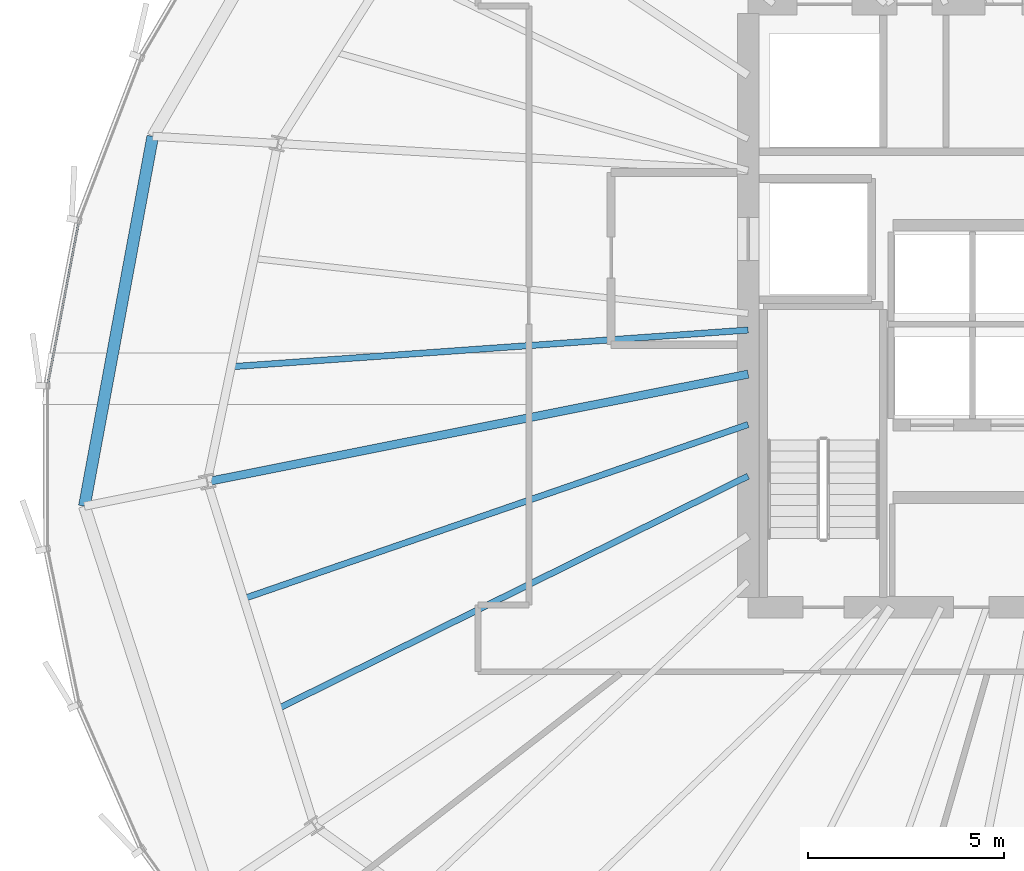
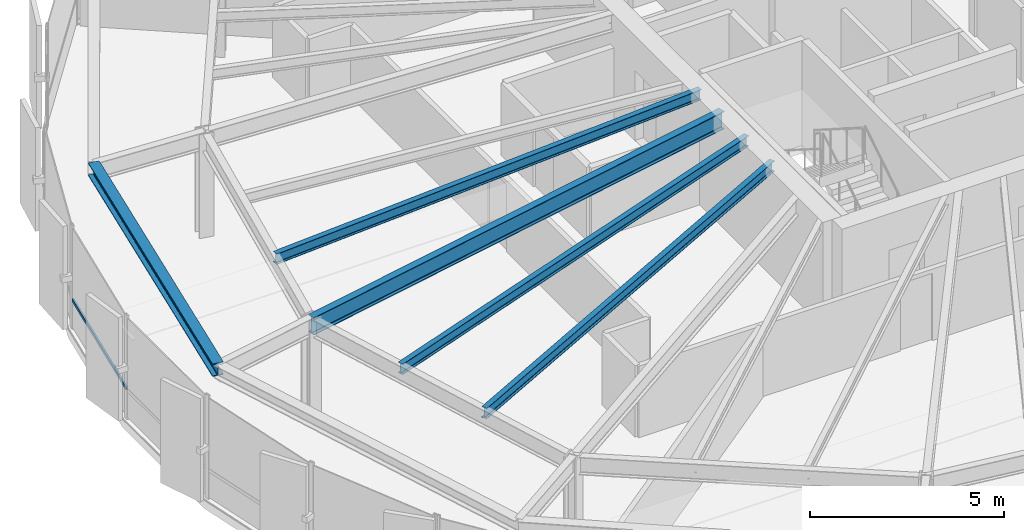
# One storey, part 9 of 34: 5 beams, 1 member, 1 element without a shape of its own.
"""IFC4 building model written with IfcOpenShell, lengths in metres."""

from ifc_helpers import new_model, si_unit, direction, frame, origin, origin_2d, place, context, subcontext, project, spatial, hollow_rectangle, i_section, extrude, source, transform, mapped, material, layer, layer_set, material_profile, profile_set, type_object, element, aggregate, save


model = new_model("IFC4")

# Units and contexts
model_context = context("Model", 3, precision=1e-05, world=origin(), true_north=direction((0.0, 1.0)))
body_context = subcontext(model_context, "Body", "Model", "MODEL_VIEW")
ifc_project = project(units=[si_unit("LENGTHUNIT", "METRE"), si_unit("AREAUNIT", "SQUARE_METRE"), si_unit("VOLUMEUNIT", "CUBIC_METRE"), si_unit("PLANEANGLEUNIT", "RADIAN"), si_unit("MASSUNIT", "GRAM", prefix="KILO"), si_unit("THERMODYNAMICTEMPERATUREUNIT", "KELVIN")], contexts=[model_context])

# Site, building, storey
site_placement = place(None, origin())
site = spatial("IfcSite", under=ifc_project, at=site_placement, CompositionType="ELEMENT")
building_placement = place(site_placement, origin())
building = spatial("IfcBuilding", under=site, at=building_placement, Name="Kethvar Cultural Tower", CompositionType="ELEMENT")
storey_placement = place(building_placement, frame((0.0, 0.0, 153.64990234375)))
storey = spatial("IfcBuildingStorey", under=building, at=storey_placement, Name="L39", CompositionType="ELEMENT", Elevation=153.64990234375)

# Beams
ifc_material_1 = material(Name="Steel S355J2", Category="steel")
ifc_material_profile_1 = material_profile(ifc_material_1, i_section(OverallWidth=0.2099609375, OverallDepth=0.550048828125, WebThickness=0.010986328125, FlangeThickness=0.01708984375, FilletRadius=0.02392578125, at=origin_2d()), Name="Steel S355J2 — IPE550")
ifc_profile_set_1 = profile_set([ifc_material_profile_1], Name="Steel S355J2 — IPE550")
beam_type_1 = type_object("IfcBeamType", Name="BM-IPE550", PredefinedType="BEAM", material=ifc_profile_set_1)
shared_shape_1 = source(origin(), body_context, "Body", "SweptSolid", [
    extrude(i_section(OverallWidth=0.2099609375, OverallDepth=0.550048828125, WebThickness=0.010986328125, FlangeThickness=0.01708984375, FilletRadius=0.02392578125, at=origin_2d()), origin(), (0.0, 0.0, 1.0), 14.085205078125),
])
beam_1_placement = place(storey_placement, frame((38.0, 26.049560546875, 3.023193359375), z_axis=(-0.98078679373, -0.195082713854, 0.0), x_axis=(0.195082713854, -0.98078679373, 0.0)))
element("IfcBeam", 1, at=beam_1_placement, inside=storey, type_object=beam_type_1, Name="L39 Primary Radial Beam RB-09", PredefinedType="BEAM", context=body_context, shape_type="MappedRepresentation", body=[
    mapped(shared_shape_1, transform((0.0, 0.0, 0.0), scale=1.0)),
])
ifc_material_profile_2 = material_profile(ifc_material_1, i_section(OverallWidth=0.300048828125, OverallDepth=0.39990234375, WebThickness=0.013427734375, FlangeThickness=0.02392578125, FilletRadius=0.027099609375, at=origin_2d()), Name="Steel S355J2 — HEB400")
ifc_profile_set_2 = profile_set([ifc_material_profile_2], Name="Steel S355J2 — HEB400")
beam_type_2 = type_object("IfcBeamType", Name="BM-SP400", PredefinedType="SPANDREL", material=ifc_profile_set_2)
shared_shape_2 = source(origin(), body_context, "Body", "SweptSolid", [
    extrude(i_section(OverallWidth=0.300048828125, OverallDepth=0.39990234375, WebThickness=0.013427734375, FlangeThickness=0.02392578125, FilletRadius=0.027099609375, at=origin_2d()), origin(), (0.0, 0.0, 1.0), 9.605712890625),
])
beam_2_placement = place(storey_placement, frame((22.793701171875, 32.123046875, 3.09814453125), z_axis=(-0.1818526217, -0.983325797476, 0.0), x_axis=(0.983325797476, -0.1818526217, 0.0)))
element("IfcBeam", 2, at=beam_2_placement, inside=storey, type_object=beam_type_2, Name="L39 Perimeter Spandrel Beam SP-08", PredefinedType="SPANDREL", context=body_context, shape_type="MappedRepresentation", body=[
    mapped(shared_shape_2, transform((0.0, 0.0, 0.0), scale=1.0)),
])
ifc_material_profile_3 = material_profile(ifc_material_1, i_section(OverallWidth=0.159912109375, OverallDepth=0.330078125, WebThickness=0.007568359375, FlangeThickness=0.011474609375, FilletRadius=0.01806640625, at=origin_2d()), Name="Steel S355J2 — IPE330")
ifc_profile_set_3 = profile_set([ifc_material_profile_3], Name="Steel S355J2 — IPE330")
beam_type_3 = type_object("IfcBeamType", Name="BM-J330", PredefinedType="JOIST", material=ifc_profile_set_3)
shared_shape_3 = source(origin(), body_context, "Body", "SweptSolid", [
    extrude(i_section(OverallWidth=0.159912109375, OverallDepth=0.330078125, WebThickness=0.007568359375, FlangeThickness=0.011474609375, FilletRadius=0.01806640625, at=origin_2d()), origin(), (0.0, 0.0, 1.0), 13.234619140625),
])
beam_3_placement = place(storey_placement, frame((38.0, 27.175537109375, 3.133056640625), z_axis=(-0.997490530945, -0.070800004767, 0.0), x_axis=(0.070800004767, -0.997490530945, 0.0)))
element("IfcBeam", 3, at=beam_3_placement, inside=storey, type_object=beam_type_3, Name="L39 Composite Floor Joist J-08B", PredefinedType="JOIST", context=body_context, shape_type="MappedRepresentation", body=[
    mapped(shared_shape_3, transform((0.0, 0.0, 0.0), scale=1.0)),
])
shared_shape_4 = source(origin(), body_context, "Body", "SweptSolid", [
    extrude(i_section(OverallWidth=0.159912109375, OverallDepth=0.330078125, WebThickness=0.007568359375, FlangeThickness=0.011474609375, FilletRadius=0.01806640625, at=origin_2d()), origin(), (0.0, 0.0, 1.0), 13.630615234375),
])
beam_4_placement = place(storey_placement, frame((38.0, 24.762451171875, 3.133056640625), z_axis=(-0.945269577646, -0.326290400682, 0.0), x_axis=(0.326290400682, -0.945269577646, 0.0)))
element("IfcBeam", 4, at=beam_4_placement, inside=storey, type_object=beam_type_3, Name="L39 Composite Floor Joist J-09A", PredefinedType="JOIST", context=body_context, shape_type="MappedRepresentation", body=[
    mapped(shared_shape_4, transform((0.0, 0.0, 0.0), scale=1.0)),
])
shared_shape_5 = source(origin(), body_context, "Body", "SweptSolid", [
    extrude(i_section(OverallWidth=0.159912109375, OverallDepth=0.330078125, WebThickness=0.007568359375, FlangeThickness=0.011474609375, FilletRadius=0.01806640625, at=origin_2d()), origin(), (0.0, 0.0, 1.0), 13.39892578125),
])
beam_5_placement = place(storey_placement, frame((38.0, 23.44580078125, 3.133056640625), z_axis=(-0.896292467417, -0.44346342899, 0.0), x_axis=(0.44346342899, -0.896292467417, 0.0)))
element("IfcBeam", 5, at=beam_5_placement, inside=storey, type_object=beam_type_3, Name="L39 Composite Floor Joist J-09B", PredefinedType="JOIST", context=body_context, shape_type="MappedRepresentation", body=[
    mapped(shared_shape_5, transform((0.0, 0.0, 0.0), scale=1.0)),
])

# Curtain wall, member
ifc_material_2 = material(Name="Aluminium 6063-T6", Category="aluminium")
ifc_layer = layer(ifc_material_2, 0.179931640625, Name="Aluminium 6063-T6", Category="aluminium")
ifc_layer_set = layer_set([ifc_layer], Name="Aluminium 6063-T6 (180 mm)")
curtain_wall_type = type_object("IfcCurtainWallType", Name="CW-SYS-04-Z34", PredefinedType="NOTDEFINED", material=ifc_layer_set)
curtain_wall_placement = place(storey_placement, origin())
curtain_wall = element("IfcCurtainWall", 6, at=curtain_wall_placement, inside=storey, type_object=curtain_wall_type, Name="L39 Curtain Wall Run 03", PredefinedType="NOTDEFINED")
ifc_material_profile_4 = material_profile(ifc_material_2, hollow_rectangle(XDim=0.050048828125, YDim=0.10009765625, WallThickness=0.00390625, at=origin_2d()), Name="Aluminium 6063-T6 — RHS100x50x4")
ifc_profile_set_4 = profile_set([ifc_material_profile_4], Name="Aluminium 6063-T6 — RHS100x50x4")
member_type = type_object("IfcMemberType", Name="CW-SYS-04-Z34-TRN", PredefinedType="USERDEFINED", material=ifc_profile_set_4)
shared_shape_6 = source(origin(), body_context, "Body", "SweptSolid", [
    extrude(hollow_rectangle(XDim=0.050048828125, YDim=0.10009765625, WallThickness=0.00390625, at=origin_2d()), origin(), (0.0, 0.0, 1.0), 4.2333984375),
])
member_placement = place(storey_placement, frame((20.902587890625, 29.9306640625, 0.9501953125), z_axis=(-0.187369154803, -0.982289570253, 0.0), x_axis=(0.982289570253, -0.187369154803, 0.0)))
member = element("IfcMember", 7, at=member_placement, type_object=member_type, Name="CW-L39-R03 Transom 3", ObjectType="TRANSOM", PredefinedType="USERDEFINED", context=body_context, shape_type="MappedRepresentation", body=[
    mapped(shared_shape_6, transform((0.0, 0.0, 0.0), scale=1.0)),
])
aggregate(curtain_wall, [member])

save(model, "model.ifc")
